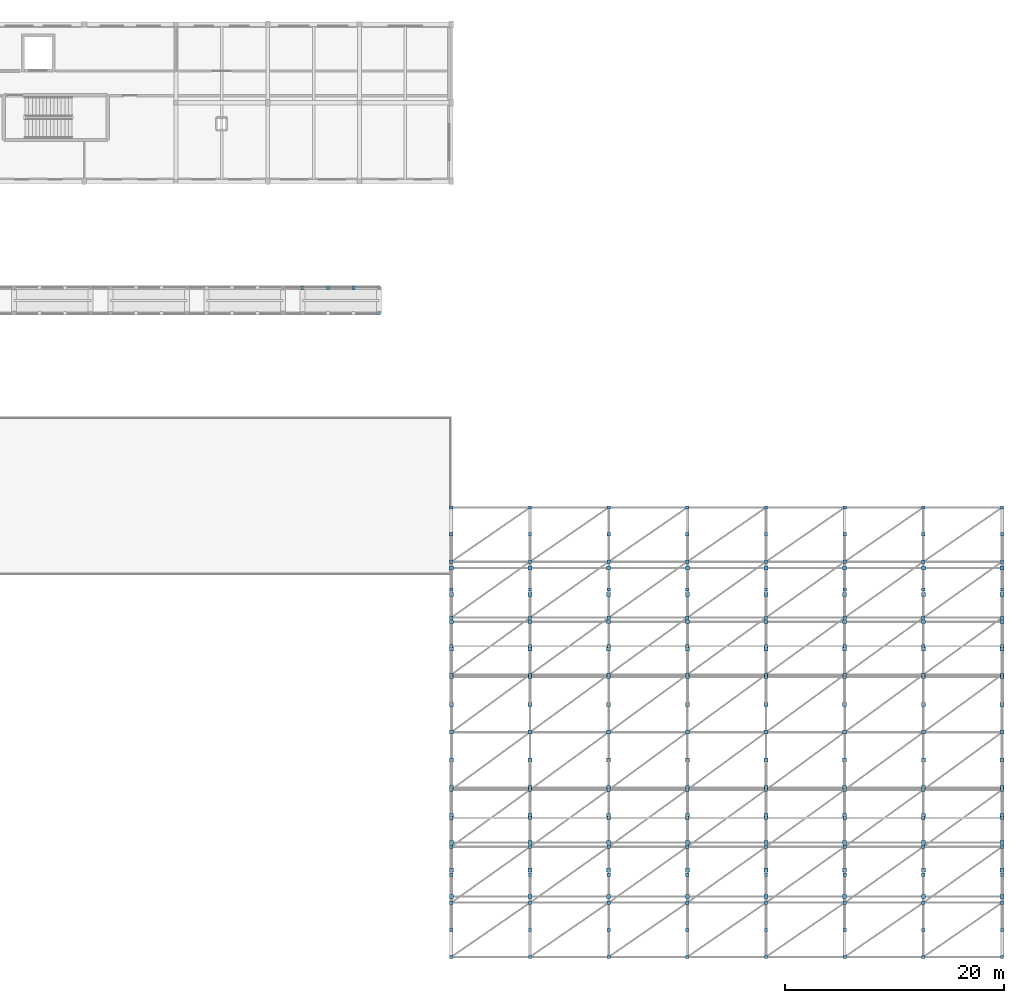
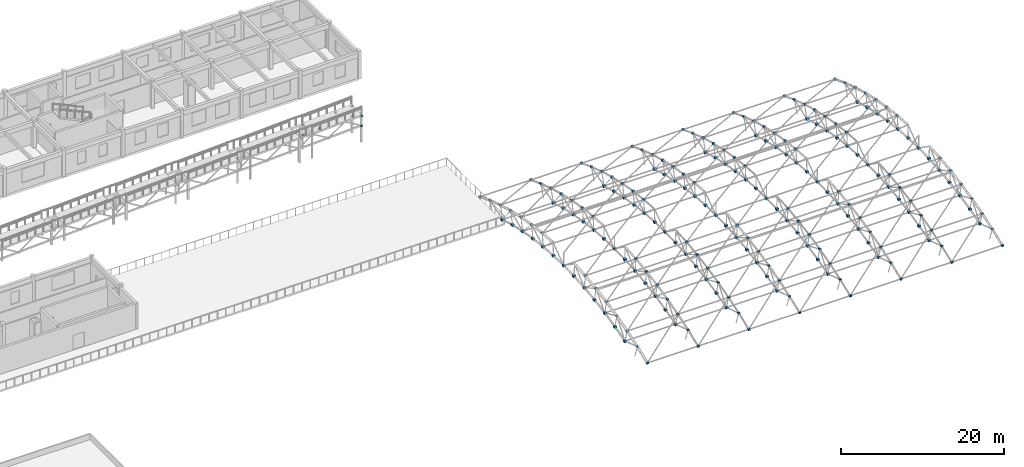
# One storey, part 26 of 41: 224 plates.
"""IFC4 building model written with IfcOpenShell, lengths in metres."""

from ifc_helpers import new_model, si_unit, direction, frame, origin, origin_2d, place, context, subcontext, project, spatial, rectangle, extrude, material, layer, layer_set, type_object, element, save


model = new_model("IFC4")

# Units and contexts
model_context = context("Model", 3, precision=1e-05, world=origin(), true_north=direction((0.0, 1.0)))
body_context = subcontext(model_context, "Body", "Model", "MODEL_VIEW")
ifc_project = project(units=[si_unit("LENGTHUNIT", "METRE"), si_unit("AREAUNIT", "SQUARE_METRE"), si_unit("VOLUMEUNIT", "CUBIC_METRE"), si_unit("PLANEANGLEUNIT", "RADIAN"), si_unit("MASSUNIT", "GRAM", prefix="KILO")], contexts=[model_context])

# Site, building, storey
site_placement = place(None, origin())
site = spatial("IfcSite", under=ifc_project, at=site_placement, CompositionType="ELEMENT")
building_placement = place(site_placement, origin())
building = spatial("IfcBuilding", under=site, at=building_placement, Name="Malvenik Polytechnic", CompositionType="ELEMENT")
storey_placement = place(building_placement, frame((0.0, 0.0, 17.699951171875)))
storey = spatial("IfcBuildingStorey", under=building, at=storey_placement, Name="L04", CompositionType="ELEMENT", Elevation=17.699951171875)

# Plates
ifc_material = material(Name="Steel S355J2H", Category="steel")
ifc_layer_1 = layer(ifc_material, 0.034912109375)
ifc_layer_set_1 = layer_set([ifc_layer_1], Name="Steel S355J2H")
plate_type_1 = type_object("IfcPlateType", Name="STR-PLT-NP-01", PredefinedType="USERDEFINED", material=ifc_layer_set_1)
for number, where, z_axis, x_axis, name in (
    (1, (134.39990234375, 49.7568359375, 0.04052734375), (0.0, 0.0, 1.0), (1.0, 0.0, 0.0), "Space-Frame Bottom Node Plate #13"),
    (2, (134.39990234375, 52.20849609375, 0.71630859375), (0.0, 0.0, 1.0), (1.0, 0.0, 0.0), "Space-Frame Bottom Node Plate #15"),
    (3, (134.39990234375, 54.6904296875, 1.271484375), (0.0, 0.0, 1.0), (1.0, 0.0, 0.0), "Space-Frame Bottom Node Plate #17"),
    (4, (134.39990234375, 57.19677734375, 1.705078125), (0.0, 0.0, 1.0), (1.0, 0.0, 0.0), "Space-Frame Bottom Node Plate #19"),
    (5, (134.39990234375, 59.720947265625, 2.01513671875), (0.0, 0.0, 1.0), (1.0, 0.0, 0.0), "Space-Frame Bottom Node Plate #21"),
    (6, (134.39990234375, 62.25732421875, 2.20166015625), (0.0, 0.0, 1.0), (1.0, 0.0, 0.0), "Space-Frame Bottom Node Plate #23"),
    (7, (134.39990234375, 64.800048828125, 2.263671875), (0.0, 0.0, 1.0), (1.0, 0.0, 0.0), "Space-Frame Bottom Node Plate #25"),
    (8, (134.39990234375, 67.342529296875, 2.20166015625), (0.0, 0.0, 1.0), (1.0, 0.0, 0.0), "Space-Frame Bottom Node Plate #27"),
    (9, (134.39990234375, 69.87890625, 2.01513671875), (0.0, 0.0, 1.0), (1.0, 0.0, 0.0), "Space-Frame Bottom Node Plate #29"),
    (10, (134.39990234375, 72.4033203125, 1.705078125), (0.0, 0.0, 1.0), (1.0, 0.0, 0.0), "Space-Frame Bottom Node Plate #31"),
    (11, (134.39990234375, 74.909423828125, 1.271484375), (0.0, 0.0, 1.0), (1.0, 0.0, 0.0), "Space-Frame Bottom Node Plate #33"),
    (12, (134.39990234375, 77.391357421875, 0.71630859375), (0.0, 0.0, 1.0), (1.0, 0.0, 0.0), "Space-Frame Bottom Node Plate #35"),
    (13, (134.39990234375, 79.84326171875, 0.04052734375), (0.0, 0.0, 1.0), (1.0, 0.0, 0.0), "Space-Frame Bottom Node Plate #37"),
    (14, (141.60009765625, 49.7568359375, 0.04052734375), (0.0, 0.0, 1.0), (1.0, 0.0, 0.0), "Space-Frame Bottom Node Plate #63"),
    (15, (141.60009765625, 52.20849609375, 0.71630859375), (0.0, 0.0, 1.0), (1.0, 0.0, 0.0), "Space-Frame Bottom Node Plate #65"),
    (16, (141.60009765625, 54.6904296875, 1.271484375), (0.0, 0.0, 1.0), (1.0, 0.0, 0.0), "Space-Frame Bottom Node Plate #67"),
    (17, (141.60009765625, 57.19677734375, 1.705078125), (0.0, 0.0, 1.0), (1.0, 0.0, 0.0), "Space-Frame Bottom Node Plate #69"),
    (18, (141.60009765625, 59.720947265625, 2.01513671875), (0.0, 0.0, 1.0), (1.0, 0.0, 0.0), "Space-Frame Bottom Node Plate #71"),
    (19, (141.60009765625, 62.25732421875, 2.20166015625), (0.0, 0.0, 1.0), (1.0, 0.0, 0.0), "Space-Frame Bottom Node Plate #73"),
    (20, (141.60009765625, 64.800048828125, 2.263671875), (0.0, 0.0, 1.0), (1.0, 0.0, 0.0), "Space-Frame Bottom Node Plate #75"),
    (21, (141.60009765625, 67.342529296875, 2.20166015625), (0.0, 0.0, 1.0), (1.0, 0.0, 0.0), "Space-Frame Bottom Node Plate #77"),
    (22, (141.60009765625, 69.87890625, 2.01513671875), (0.0, 0.0, 1.0), (1.0, 0.0, 0.0), "Space-Frame Bottom Node Plate #79"),
    (23, (141.60009765625, 72.4033203125, 1.705078125), (0.0, 0.0, 1.0), (1.0, 0.0, 0.0), "Space-Frame Bottom Node Plate #81"),
    (24, (141.60009765625, 74.909423828125, 1.271484375), (0.0, 0.0, 1.0), (1.0, 0.0, 0.0), "Space-Frame Bottom Node Plate #83"),
    (25, (141.60009765625, 77.391357421875, 0.71630859375), (0.0, 0.0, 1.0), (1.0, 0.0, 0.0), "Space-Frame Bottom Node Plate #85"),
    (26, (141.60009765625, 79.84326171875, 0.04052734375), (0.0, 0.0, 1.0), (1.0, 0.0, 0.0), "Space-Frame Bottom Node Plate #87"),
    (27, (148.800048828125, 49.7568359375, 0.04052734375), (0.0, 0.0, 1.0), (1.0, 0.0, 0.0), "Space-Frame Bottom Node Plate #113"),
    (28, (148.800048828125, 52.20849609375, 0.71630859375), (0.0, 0.0, 1.0), (1.0, 0.0, 0.0), "Space-Frame Bottom Node Plate #115"),
    (29, (148.800048828125, 54.6904296875, 1.271484375), (0.0, 0.0, 1.0), (1.0, 0.0, 0.0), "Space-Frame Bottom Node Plate #117"),
    (30, (148.800048828125, 57.19677734375, 1.705078125), (0.0, 0.0, 1.0), (1.0, 0.0, 0.0), "Space-Frame Bottom Node Plate #119"),
    (31, (148.800048828125, 59.720947265625, 2.01513671875), (0.0, 0.0, 1.0), (1.0, 0.0, 0.0), "Space-Frame Bottom Node Plate #121"),
    (32, (148.800048828125, 62.25732421875, 2.20166015625), (0.0, 0.0, 1.0), (1.0, 0.0, 0.0), "Space-Frame Bottom Node Plate #123"),
    (33, (148.800048828125, 64.800048828125, 2.263671875), (0.0, 0.0, 1.0), (1.0, 0.0, 0.0), "Space-Frame Bottom Node Plate #125"),
    (34, (148.800048828125, 67.342529296875, 2.20166015625), (0.0, 0.0, 1.0), (1.0, 0.0, 0.0), "Space-Frame Bottom Node Plate #127"),
    (35, (148.800048828125, 69.87890625, 2.01513671875), (0.0, 0.0, 1.0), (1.0, 0.0, 0.0), "Space-Frame Bottom Node Plate #129"),
    (36, (148.800048828125, 72.4033203125, 1.705078125), (0.0, 0.0, 1.0), (1.0, 0.0, 0.0), "Space-Frame Bottom Node Plate #131"),
    (37, (148.800048828125, 74.909423828125, 1.271484375), (0.0, 0.0, 1.0), (1.0, 0.0, 0.0), "Space-Frame Bottom Node Plate #133"),
    (38, (148.800048828125, 77.391357421875, 0.71630859375), (0.0, 0.0, 1.0), (1.0, 0.0, 0.0), "Space-Frame Bottom Node Plate #135"),
    (39, (148.800048828125, 79.84326171875, 0.04052734375), (0.0, 0.0, 1.0), (1.0, 0.0, 0.0), "Space-Frame Bottom Node Plate #137"),
    (40, (156.0, 49.7568359375, 0.04052734375), (0.0, 0.0, 1.0), (1.0, 0.0, 0.0), "Space-Frame Bottom Node Plate #163"),
    (41, (156.0, 52.20849609375, 0.71630859375), (0.0, 0.0, 1.0), (1.0, 0.0, 0.0), "Space-Frame Bottom Node Plate #165"),
    (42, (156.0, 54.6904296875, 1.271484375), (0.0, 0.0, 1.0), (1.0, 0.0, 0.0), "Space-Frame Bottom Node Plate #167"),
    (43, (156.0, 57.19677734375, 1.705078125), (0.0, 0.0, 1.0), (1.0, 0.0, 0.0), "Space-Frame Bottom Node Plate #169"),
    (44, (156.0, 59.720947265625, 2.01513671875), (0.0, 0.0, 1.0), (1.0, 0.0, 0.0), "Space-Frame Bottom Node Plate #171"),
    (45, (156.0, 62.25732421875, 2.20166015625), (0.0, 0.0, 1.0), (1.0, 0.0, 0.0), "Space-Frame Bottom Node Plate #173"),
    (46, (156.0, 64.800048828125, 2.263671875), (0.0, 0.0, 1.0), (1.0, 0.0, 0.0), "Space-Frame Bottom Node Plate #175"),
    (47, (156.0, 67.342529296875, 2.20166015625), (0.0, 0.0, 1.0), (1.0, 0.0, 0.0), "Space-Frame Bottom Node Plate #177"),
    (48, (156.0, 69.87890625, 2.01513671875), (0.0, 0.0, 1.0), (1.0, 0.0, 0.0), "Space-Frame Bottom Node Plate #179"),
    (49, (156.0, 72.4033203125, 1.705078125), (0.0, 0.0, 1.0), (1.0, 0.0, 0.0), "Space-Frame Bottom Node Plate #181"),
    (50, (156.0, 74.909423828125, 1.271484375), (0.0, 0.0, 1.0), (1.0, 0.0, 0.0), "Space-Frame Bottom Node Plate #183"),
    (51, (156.0, 77.391357421875, 0.71630859375), (0.0, 0.0, 1.0), (1.0, 0.0, 0.0), "Space-Frame Bottom Node Plate #185"),
    (52, (156.0, 79.84326171875, 0.04052734375), (0.0, 0.0, 1.0), (1.0, 0.0, 0.0), "Space-Frame Bottom Node Plate #187"),
    (53, (163.199951171875, 49.7568359375, 0.04052734375), (0.0, 0.0, 1.0), (1.0, 0.0, 0.0), "Space-Frame Bottom Node Plate #213"),
    (54, (163.199951171875, 52.20849609375, 0.71630859375), (0.0, 0.0, 1.0), (1.0, 0.0, 0.0), "Space-Frame Bottom Node Plate #215"),
    (55, (163.199951171875, 54.6904296875, 1.271484375), (0.0, 0.0, 1.0), (1.0, 0.0, 0.0), "Space-Frame Bottom Node Plate #217"),
    (56, (163.199951171875, 57.19677734375, 1.705078125), (0.0, 0.0, 1.0), (1.0, 0.0, 0.0), "Space-Frame Bottom Node Plate #219"),
    (57, (163.199951171875, 59.720947265625, 2.01513671875), (0.0, 0.0, 1.0), (1.0, 0.0, 0.0), "Space-Frame Bottom Node Plate #221"),
    (58, (163.199951171875, 62.25732421875, 2.20166015625), (0.0, 0.0, 1.0), (1.0, 0.0, 0.0), "Space-Frame Bottom Node Plate #223"),
    (59, (163.199951171875, 64.800048828125, 2.263671875), (0.0, 0.0, 1.0), (1.0, 0.0, 0.0), "Space-Frame Bottom Node Plate #225"),
    (60, (163.199951171875, 67.342529296875, 2.20166015625), (0.0, 0.0, 1.0), (1.0, 0.0, 0.0), "Space-Frame Bottom Node Plate #227"),
    (61, (163.199951171875, 69.87890625, 2.01513671875), (0.0, 0.0, 1.0), (1.0, 0.0, 0.0), "Space-Frame Bottom Node Plate #229"),
    (62, (163.199951171875, 72.4033203125, 1.705078125), (0.0, 0.0, 1.0), (1.0, 0.0, 0.0), "Space-Frame Bottom Node Plate #231"),
    (63, (163.199951171875, 74.909423828125, 1.271484375), (0.0, 0.0, 1.0), (1.0, 0.0, 0.0), "Space-Frame Bottom Node Plate #233"),
    (64, (163.199951171875, 77.391357421875, 0.71630859375), (0.0, 0.0, 1.0), (1.0, 0.0, 0.0), "Space-Frame Bottom Node Plate #235"),
    (65, (163.199951171875, 79.84326171875, 0.04052734375), (0.0, 0.0, 1.0), (1.0, 0.0, 0.0), "Space-Frame Bottom Node Plate #237"),
    (66, (170.39990234375, 49.7568359375, 0.04052734375), (0.0, 0.0, 1.0), (1.0, 0.0, 0.0), "Space-Frame Bottom Node Plate #263"),
    (67, (170.39990234375, 52.20849609375, 0.71630859375), (0.0, 0.0, 1.0), (1.0, 0.0, 0.0), "Space-Frame Bottom Node Plate #265"),
    (68, (170.39990234375, 54.6904296875, 1.271484375), (0.0, 0.0, 1.0), (1.0, 0.0, 0.0), "Space-Frame Bottom Node Plate #267"),
    (69, (170.39990234375, 57.19677734375, 1.705078125), (0.0, 0.0, 1.0), (1.0, 0.0, 0.0), "Space-Frame Bottom Node Plate #269"),
    (70, (170.39990234375, 59.720947265625, 2.01513671875), (0.0, 0.0, 1.0), (1.0, 0.0, 0.0), "Space-Frame Bottom Node Plate #271"),
    (71, (170.39990234375, 62.25732421875, 2.20166015625), (0.0, 0.0, 1.0), (1.0, 0.0, 0.0), "Space-Frame Bottom Node Plate #273"),
    (72, (170.39990234375, 64.800048828125, 2.263671875), (0.0, 0.0, 1.0), (1.0, 0.0, 0.0), "Space-Frame Bottom Node Plate #275"),
    (73, (170.39990234375, 67.342529296875, 2.20166015625), (0.0, 0.0, 1.0), (1.0, 0.0, 0.0), "Space-Frame Bottom Node Plate #277"),
    (74, (170.39990234375, 69.87890625, 2.01513671875), (0.0, 0.0, 1.0), (1.0, 0.0, 0.0), "Space-Frame Bottom Node Plate #279"),
    (75, (170.39990234375, 72.4033203125, 1.705078125), (0.0, 0.0, 1.0), (1.0, 0.0, 0.0), "Space-Frame Bottom Node Plate #281"),
    (76, (170.39990234375, 74.909423828125, 1.271484375), (0.0, 0.0, 1.0), (1.0, 0.0, 0.0), "Space-Frame Bottom Node Plate #283"),
    (77, (170.39990234375, 77.391357421875, 0.71630859375), (0.0, 0.0, 1.0), (1.0, 0.0, 0.0), "Space-Frame Bottom Node Plate #285"),
    (78, (170.39990234375, 79.84326171875, 0.04052734375), (0.0, 0.0, 1.0), (1.0, 0.0, 0.0), "Space-Frame Bottom Node Plate #287"),
    (79, (177.60009765625, 49.7568359375, 0.04052734375), (0.0, 0.0, 1.0), (1.0, 0.0, 0.0), "Space-Frame Bottom Node Plate #313"),
    (80, (177.60009765625, 52.20849609375, 0.71630859375), (0.0, 0.0, 1.0), (1.0, 0.0, 0.0), "Space-Frame Bottom Node Plate #315"),
    (81, (177.60009765625, 54.6904296875, 1.271484375), (0.0, 0.0, 1.0), (1.0, 0.0, 0.0), "Space-Frame Bottom Node Plate #317"),
    (82, (177.60009765625, 57.19677734375, 1.705078125), (0.0, 0.0, 1.0), (1.0, 0.0, 0.0), "Space-Frame Bottom Node Plate #319"),
    (83, (177.60009765625, 59.720947265625, 2.01513671875), (0.0, 0.0, 1.0), (1.0, 0.0, 0.0), "Space-Frame Bottom Node Plate #321"),
    (84, (177.60009765625, 62.25732421875, 2.20166015625), (0.0, 0.0, 1.0), (1.0, 0.0, 0.0), "Space-Frame Bottom Node Plate #323"),
    (85, (177.60009765625, 64.800048828125, 2.263671875), (0.0, 0.0, 1.0), (1.0, 0.0, 0.0), "Space-Frame Bottom Node Plate #325"),
    (86, (177.60009765625, 67.342529296875, 2.20166015625), (0.0, 0.0, 1.0), (1.0, 0.0, 0.0), "Space-Frame Bottom Node Plate #327"),
    (87, (177.60009765625, 69.87890625, 2.01513671875), (0.0, 0.0, 1.0), (1.0, 0.0, 0.0), "Space-Frame Bottom Node Plate #329"),
    (88, (177.60009765625, 72.4033203125, 1.705078125), (0.0, 0.0, 1.0), (1.0, 0.0, 0.0), "Space-Frame Bottom Node Plate #331"),
    (89, (177.60009765625, 74.909423828125, 1.271484375), (0.0, 0.0, 1.0), (1.0, 0.0, 0.0), "Space-Frame Bottom Node Plate #333"),
    (90, (177.60009765625, 77.391357421875, 0.71630859375), (0.0, 0.0, 1.0), (1.0, 0.0, 0.0), "Space-Frame Bottom Node Plate #335"),
    (91, (177.60009765625, 79.84326171875, 0.04052734375), (0.0, 0.0, 1.0), (1.0, 0.0, 0.0), "Space-Frame Bottom Node Plate #337"),
    (92, (184.800048828125, 49.7568359375, 0.04052734375), (0.0, 0.0, 1.0), (1.0, 0.0, 0.0), "Space-Frame Bottom Node Plate #363"),
    (93, (184.800048828125, 52.20849609375, 0.71630859375), (0.0, 0.0, 1.0), (1.0, 0.0, 0.0), "Space-Frame Bottom Node Plate #365"),
    (94, (184.800048828125, 54.6904296875, 1.271484375), (0.0, 0.0, 1.0), (1.0, 0.0, 0.0), "Space-Frame Bottom Node Plate #367"),
    (95, (184.800048828125, 57.19677734375, 1.705078125), (0.0, 0.0, 1.0), (1.0, 0.0, 0.0), "Space-Frame Bottom Node Plate #369"),
    (96, (184.800048828125, 59.720947265625, 2.01513671875), (0.0, 0.0, 1.0), (1.0, 0.0, 0.0), "Space-Frame Bottom Node Plate #371"),
    (97, (184.800048828125, 62.25732421875, 2.20166015625), (0.0, 0.0, 1.0), (1.0, 0.0, 0.0), "Space-Frame Bottom Node Plate #373"),
    (98, (184.800048828125, 64.800048828125, 2.263671875), (0.0, 0.0, 1.0), (1.0, 0.0, 0.0), "Space-Frame Bottom Node Plate #375"),
    (99, (184.800048828125, 67.342529296875, 2.20166015625), (0.0, 0.0, 1.0), (1.0, 0.0, 0.0), "Space-Frame Bottom Node Plate #377"),
    (100, (184.800048828125, 69.87890625, 2.01513671875), (0.0, 0.0, 1.0), (1.0, 0.0, 0.0), "Space-Frame Bottom Node Plate #379"),
    (101, (184.800048828125, 72.4033203125, 1.705078125), (0.0, 0.0, 1.0), (1.0, 0.0, 0.0), "Space-Frame Bottom Node Plate #381"),
    (102, (184.800048828125, 74.909423828125, 1.271484375), (0.0, 0.0, 1.0), (1.0, 0.0, 0.0), "Space-Frame Bottom Node Plate #383"),
    (103, (184.800048828125, 77.391357421875, 0.71630859375), (0.0, 0.0, 1.0), (1.0, 0.0, 0.0), "Space-Frame Bottom Node Plate #385"),
    (104, (184.800048828125, 79.84326171875, 0.04052734375), (0.0, 0.0, 1.0), (1.0, 0.0, 0.0), "Space-Frame Bottom Node Plate #387"),
):
    element("IfcPlate", number, at=place(storey_placement, frame(where, z_axis=z_axis, x_axis=x_axis)), inside=storey, type_object=plate_type_1, Name=name, ObjectType="GUSSET PLATE", PredefinedType="USERDEFINED", context=body_context, shape_type="SweptSolid", body=[
        extrude(rectangle(XDim=0.360107421875, YDim=0.360107421875, at=origin_2d()), origin(), (0.0, 0.0, 1.0), 0.280029296875),
    ])
ifc_layer_2 = layer(ifc_material, 0.034912109375)
ifc_layer_set_2 = layer_set([ifc_layer_2], Name="Steel S355J2H")
plate_type_2 = type_object("IfcPlateType", Name="STR-PLT-NP-02", PredefinedType="USERDEFINED", material=ifc_layer_set_2)
for number, where, z_axis, x_axis, name in (
    (105, (134.39990234375, 44.232666015625, 0.13232421875), (0.0, 0.0, 1.0), (1.0, 0.0, 0.0), "Space-Frame Top Node Plate #10"),
    (106, (134.39990234375, 46.694580078125, 1.07861328125), (0.0, 0.0, 1.0), (1.0, 0.0, 0.0), "Space-Frame Top Node Plate #12"),
    (107, (134.39990234375, 49.199951171875, 1.90283203125), (0.0, 0.0, 1.0), (1.0, 0.0, 0.0), "Space-Frame Top Node Plate #14"),
    (108, (134.39990234375, 51.742431640625, 2.60400390625), (0.0, 0.0, 1.0), (1.0, 0.0, 0.0), "Space-Frame Top Node Plate #16"),
    (109, (134.39990234375, 54.31640625, 3.18017578125), (0.0, 0.0, 1.0), (1.0, 0.0, 0.0), "Space-Frame Top Node Plate #18"),
    (110, (134.39990234375, 56.915283203125, 3.62939453125), (0.0, 0.0, 1.0), (1.0, 0.0, 0.0), "Space-Frame Top Node Plate #20"),
    (111, (134.39990234375, 59.532958984375, 3.951171875), (0.0, 0.0, 1.0), (1.0, 0.0, 0.0), "Space-Frame Top Node Plate #22"),
    (112, (134.39990234375, 70.06689453125, 3.951171875), (0.0, 0.0, 1.0), (1.0, 0.0, 0.0), "Space-Frame Top Node Plate #30"),
    (113, (134.39990234375, 72.684814453125, 3.62939453125), (0.0, 0.0, 1.0), (1.0, 0.0, 0.0), "Space-Frame Top Node Plate #32"),
    (114, (134.39990234375, 75.28369140625, 3.18017578125), (0.0, 0.0, 1.0), (1.0, 0.0, 0.0), "Space-Frame Top Node Plate #34"),
    (115, (134.39990234375, 77.857421875, 2.60400390625), (0.0, 0.0, 1.0), (1.0, 0.0, 0.0), "Space-Frame Top Node Plate #36"),
    (116, (134.39990234375, 80.400146484375, 1.90283203125), (0.0, 0.0, 1.0), (1.0, 0.0, 0.0), "Space-Frame Top Node Plate #38"),
    (117, (134.39990234375, 82.905517578125, 1.07861328125), (0.0, 0.0, 1.0), (1.0, 0.0, 0.0), "Space-Frame Top Node Plate #40"),
    (118, (134.39990234375, 85.367431640625, 0.13232421875), (0.0, 0.0, 1.0), (1.0, 0.0, 0.0), "Space-Frame Top Node Plate #42"),
    (119, (141.60009765625, 44.232666015625, 0.13232421875), (0.0, 0.0, 1.0), (1.0, 0.0, 0.0), "Space-Frame Top Node Plate #60"),
    (120, (141.60009765625, 46.694580078125, 1.07861328125), (0.0, 0.0, 1.0), (1.0, 0.0, 0.0), "Space-Frame Top Node Plate #62"),
    (121, (141.60009765625, 49.199951171875, 1.90283203125), (0.0, 0.0, 1.0), (1.0, 0.0, 0.0), "Space-Frame Top Node Plate #64"),
    (122, (141.60009765625, 51.742431640625, 2.60400390625), (0.0, 0.0, 1.0), (1.0, 0.0, 0.0), "Space-Frame Top Node Plate #66"),
    (123, (141.60009765625, 54.31640625, 3.18017578125), (0.0, 0.0, 1.0), (1.0, 0.0, 0.0), "Space-Frame Top Node Plate #68"),
    (124, (141.60009765625, 56.915283203125, 3.62939453125), (0.0, 0.0, 1.0), (1.0, 0.0, 0.0), "Space-Frame Top Node Plate #70"),
    (125, (141.60009765625, 59.532958984375, 3.951171875), (0.0, 0.0, 1.0), (1.0, 0.0, 0.0), "Space-Frame Top Node Plate #72"),
    (126, (141.60009765625, 70.06689453125, 3.951171875), (0.0, 0.0, 1.0), (1.0, 0.0, 0.0), "Space-Frame Top Node Plate #80"),
    (127, (141.60009765625, 72.684814453125, 3.62939453125), (0.0, 0.0, 1.0), (1.0, 0.0, 0.0), "Space-Frame Top Node Plate #82"),
    (128, (141.60009765625, 75.28369140625, 3.18017578125), (0.0, 0.0, 1.0), (1.0, 0.0, 0.0), "Space-Frame Top Node Plate #84"),
    (129, (141.60009765625, 77.857421875, 2.60400390625), (0.0, 0.0, 1.0), (1.0, 0.0, 0.0), "Space-Frame Top Node Plate #86"),
    (130, (141.60009765625, 80.400146484375, 1.90283203125), (0.0, 0.0, 1.0), (1.0, 0.0, 0.0), "Space-Frame Top Node Plate #88"),
    (131, (141.60009765625, 82.905517578125, 1.07861328125), (0.0, 0.0, 1.0), (1.0, 0.0, 0.0), "Space-Frame Top Node Plate #90"),
    (132, (141.60009765625, 85.367431640625, 0.13232421875), (0.0, 0.0, 1.0), (1.0, 0.0, 0.0), "Space-Frame Top Node Plate #92"),
    (133, (148.800048828125, 44.232666015625, 0.13232421875), (0.0, 0.0, 1.0), (1.0, 0.0, 0.0), "Space-Frame Top Node Plate #110"),
    (134, (148.800048828125, 46.694580078125, 1.07861328125), (0.0, 0.0, 1.0), (1.0, 0.0, 0.0), "Space-Frame Top Node Plate #112"),
    (135, (148.800048828125, 49.199951171875, 1.90283203125), (0.0, 0.0, 1.0), (1.0, 0.0, 0.0), "Space-Frame Top Node Plate #114"),
    (136, (148.800048828125, 51.742431640625, 2.60400390625), (0.0, 0.0, 1.0), (1.0, 0.0, 0.0), "Space-Frame Top Node Plate #116"),
    (137, (148.800048828125, 54.31640625, 3.18017578125), (0.0, 0.0, 1.0), (1.0, 0.0, 0.0), "Space-Frame Top Node Plate #118"),
    (138, (148.800048828125, 56.915283203125, 3.62939453125), (0.0, 0.0, 1.0), (1.0, 0.0, 0.0), "Space-Frame Top Node Plate #120"),
    (139, (148.800048828125, 59.532958984375, 3.951171875), (0.0, 0.0, 1.0), (1.0, 0.0, 0.0), "Space-Frame Top Node Plate #122"),
    (140, (148.800048828125, 70.06689453125, 3.951171875), (0.0, 0.0, 1.0), (1.0, 0.0, 0.0), "Space-Frame Top Node Plate #130"),
    (141, (148.800048828125, 72.684814453125, 3.62939453125), (0.0, 0.0, 1.0), (1.0, 0.0, 0.0), "Space-Frame Top Node Plate #132"),
    (142, (148.800048828125, 75.28369140625, 3.18017578125), (0.0, 0.0, 1.0), (1.0, 0.0, 0.0), "Space-Frame Top Node Plate #134"),
    (143, (148.800048828125, 77.857421875, 2.60400390625), (0.0, 0.0, 1.0), (1.0, 0.0, 0.0), "Space-Frame Top Node Plate #136"),
    (144, (148.800048828125, 80.400146484375, 1.90283203125), (0.0, 0.0, 1.0), (1.0, 0.0, 0.0), "Space-Frame Top Node Plate #138"),
    (145, (148.800048828125, 82.905517578125, 1.07861328125), (0.0, 0.0, 1.0), (1.0, 0.0, 0.0), "Space-Frame Top Node Plate #140"),
    (146, (148.800048828125, 85.367431640625, 0.13232421875), (0.0, 0.0, 1.0), (1.0, 0.0, 0.0), "Space-Frame Top Node Plate #142"),
    (147, (156.0, 44.232666015625, 0.13232421875), (0.0, 0.0, 1.0), (1.0, 0.0, 0.0), "Space-Frame Top Node Plate #160"),
    (148, (156.0, 46.694580078125, 1.07861328125), (0.0, 0.0, 1.0), (1.0, 0.0, 0.0), "Space-Frame Top Node Plate #162"),
    (149, (156.0, 49.199951171875, 1.90283203125), (0.0, 0.0, 1.0), (1.0, 0.0, 0.0), "Space-Frame Top Node Plate #164"),
    (150, (156.0, 51.742431640625, 2.60400390625), (0.0, 0.0, 1.0), (1.0, 0.0, 0.0), "Space-Frame Top Node Plate #166"),
    (151, (156.0, 54.31640625, 3.18017578125), (0.0, 0.0, 1.0), (1.0, 0.0, 0.0), "Space-Frame Top Node Plate #168"),
    (152, (156.0, 56.915283203125, 3.62939453125), (0.0, 0.0, 1.0), (1.0, 0.0, 0.0), "Space-Frame Top Node Plate #170"),
    (153, (156.0, 59.532958984375, 3.951171875), (0.0, 0.0, 1.0), (1.0, 0.0, 0.0), "Space-Frame Top Node Plate #172"),
    (154, (156.0, 70.06689453125, 3.951171875), (0.0, 0.0, 1.0), (1.0, 0.0, 0.0), "Space-Frame Top Node Plate #180"),
    (155, (156.0, 72.684814453125, 3.62939453125), (0.0, 0.0, 1.0), (1.0, 0.0, 0.0), "Space-Frame Top Node Plate #182"),
    (156, (156.0, 75.28369140625, 3.18017578125), (0.0, 0.0, 1.0), (1.0, 0.0, 0.0), "Space-Frame Top Node Plate #184"),
    (157, (156.0, 77.857421875, 2.60400390625), (0.0, 0.0, 1.0), (1.0, 0.0, 0.0), "Space-Frame Top Node Plate #186"),
    (158, (156.0, 80.400146484375, 1.90283203125), (0.0, 0.0, 1.0), (1.0, 0.0, 0.0), "Space-Frame Top Node Plate #188"),
    (159, (156.0, 82.905517578125, 1.07861328125), (0.0, 0.0, 1.0), (1.0, 0.0, 0.0), "Space-Frame Top Node Plate #190"),
    (160, (156.0, 85.367431640625, 0.13232421875), (0.0, 0.0, 1.0), (1.0, 0.0, 0.0), "Space-Frame Top Node Plate #192"),
    (161, (163.199951171875, 44.232666015625, 0.13232421875), (0.0, 0.0, 1.0), (1.0, 0.0, 0.0), "Space-Frame Top Node Plate #210"),
    (162, (163.199951171875, 46.694580078125, 1.07861328125), (0.0, 0.0, 1.0), (1.0, 0.0, 0.0), "Space-Frame Top Node Plate #212"),
    (163, (163.199951171875, 49.199951171875, 1.90283203125), (0.0, 0.0, 1.0), (1.0, 0.0, 0.0), "Space-Frame Top Node Plate #214"),
    (164, (163.199951171875, 51.742431640625, 2.60400390625), (0.0, 0.0, 1.0), (1.0, 0.0, 0.0), "Space-Frame Top Node Plate #216"),
    (165, (163.199951171875, 54.31640625, 3.18017578125), (0.0, 0.0, 1.0), (1.0, 0.0, 0.0), "Space-Frame Top Node Plate #218"),
    (166, (163.199951171875, 56.915283203125, 3.62939453125), (0.0, 0.0, 1.0), (1.0, 0.0, 0.0), "Space-Frame Top Node Plate #220"),
    (167, (163.199951171875, 59.532958984375, 3.951171875), (0.0, 0.0, 1.0), (1.0, 0.0, 0.0), "Space-Frame Top Node Plate #222"),
    (168, (163.199951171875, 70.06689453125, 3.951171875), (0.0, 0.0, 1.0), (1.0, 0.0, 0.0), "Space-Frame Top Node Plate #230"),
    (169, (163.199951171875, 72.684814453125, 3.62939453125), (0.0, 0.0, 1.0), (1.0, 0.0, 0.0), "Space-Frame Top Node Plate #232"),
    (170, (163.199951171875, 75.28369140625, 3.18017578125), (0.0, 0.0, 1.0), (1.0, 0.0, 0.0), "Space-Frame Top Node Plate #234"),
    (171, (163.199951171875, 77.857421875, 2.60400390625), (0.0, 0.0, 1.0), (1.0, 0.0, 0.0), "Space-Frame Top Node Plate #236"),
    (172, (163.199951171875, 80.400146484375, 1.90283203125), (0.0, 0.0, 1.0), (1.0, 0.0, 0.0), "Space-Frame Top Node Plate #238"),
    (173, (163.199951171875, 82.905517578125, 1.07861328125), (0.0, 0.0, 1.0), (1.0, 0.0, 0.0), "Space-Frame Top Node Plate #240"),
    (174, (163.199951171875, 85.367431640625, 0.13232421875), (0.0, 0.0, 1.0), (1.0, 0.0, 0.0), "Space-Frame Top Node Plate #242"),
    (175, (170.39990234375, 44.232666015625, 0.13232421875), (0.0, 0.0, 1.0), (1.0, 0.0, 0.0), "Space-Frame Top Node Plate #260"),
    (176, (170.39990234375, 46.694580078125, 1.07861328125), (0.0, 0.0, 1.0), (1.0, 0.0, 0.0), "Space-Frame Top Node Plate #262"),
    (177, (170.39990234375, 49.199951171875, 1.90283203125), (0.0, 0.0, 1.0), (1.0, 0.0, 0.0), "Space-Frame Top Node Plate #264"),
    (178, (170.39990234375, 51.742431640625, 2.60400390625), (0.0, 0.0, 1.0), (1.0, 0.0, 0.0), "Space-Frame Top Node Plate #266"),
    (179, (170.39990234375, 54.31640625, 3.18017578125), (0.0, 0.0, 1.0), (1.0, 0.0, 0.0), "Space-Frame Top Node Plate #268"),
    (180, (170.39990234375, 56.915283203125, 3.62939453125), (0.0, 0.0, 1.0), (1.0, 0.0, 0.0), "Space-Frame Top Node Plate #270"),
    (181, (170.39990234375, 59.532958984375, 3.951171875), (0.0, 0.0, 1.0), (1.0, 0.0, 0.0), "Space-Frame Top Node Plate #272"),
    (182, (170.39990234375, 70.06689453125, 3.951171875), (0.0, 0.0, 1.0), (1.0, 0.0, 0.0), "Space-Frame Top Node Plate #280"),
    (183, (170.39990234375, 72.684814453125, 3.62939453125), (0.0, 0.0, 1.0), (1.0, 0.0, 0.0), "Space-Frame Top Node Plate #282"),
    (184, (170.39990234375, 75.28369140625, 3.18017578125), (0.0, 0.0, 1.0), (1.0, 0.0, 0.0), "Space-Frame Top Node Plate #284"),
    (185, (170.39990234375, 77.857421875, 2.60400390625), (0.0, 0.0, 1.0), (1.0, 0.0, 0.0), "Space-Frame Top Node Plate #286"),
    (186, (170.39990234375, 80.400146484375, 1.90283203125), (0.0, 0.0, 1.0), (1.0, 0.0, 0.0), "Space-Frame Top Node Plate #288"),
    (187, (170.39990234375, 82.905517578125, 1.07861328125), (0.0, 0.0, 1.0), (1.0, 0.0, 0.0), "Space-Frame Top Node Plate #290"),
    (188, (170.39990234375, 85.367431640625, 0.13232421875), (0.0, 0.0, 1.0), (1.0, 0.0, 0.0), "Space-Frame Top Node Plate #292"),
    (189, (177.60009765625, 44.232666015625, 0.13232421875), (0.0, 0.0, 1.0), (1.0, 0.0, 0.0), "Space-Frame Top Node Plate #310"),
    (190, (177.60009765625, 46.694580078125, 1.07861328125), (0.0, 0.0, 1.0), (1.0, 0.0, 0.0), "Space-Frame Top Node Plate #312"),
    (191, (177.60009765625, 49.199951171875, 1.90283203125), (0.0, 0.0, 1.0), (1.0, 0.0, 0.0), "Space-Frame Top Node Plate #314"),
    (192, (177.60009765625, 51.742431640625, 2.60400390625), (0.0, 0.0, 1.0), (1.0, 0.0, 0.0), "Space-Frame Top Node Plate #316"),
    (193, (177.60009765625, 54.31640625, 3.18017578125), (0.0, 0.0, 1.0), (1.0, 0.0, 0.0), "Space-Frame Top Node Plate #318"),
    (194, (177.60009765625, 56.915283203125, 3.62939453125), (0.0, 0.0, 1.0), (1.0, 0.0, 0.0), "Space-Frame Top Node Plate #320"),
    (195, (177.60009765625, 59.532958984375, 3.951171875), (0.0, 0.0, 1.0), (1.0, 0.0, 0.0), "Space-Frame Top Node Plate #322"),
    (196, (177.60009765625, 70.06689453125, 3.951171875), (0.0, 0.0, 1.0), (1.0, 0.0, 0.0), "Space-Frame Top Node Plate #330"),
    (197, (177.60009765625, 72.684814453125, 3.62939453125), (0.0, 0.0, 1.0), (1.0, 0.0, 0.0), "Space-Frame Top Node Plate #332"),
    (198, (177.60009765625, 75.28369140625, 3.18017578125), (0.0, 0.0, 1.0), (1.0, 0.0, 0.0), "Space-Frame Top Node Plate #334"),
    (199, (177.60009765625, 77.857421875, 2.60400390625), (0.0, 0.0, 1.0), (1.0, 0.0, 0.0), "Space-Frame Top Node Plate #336"),
    (200, (177.60009765625, 80.400146484375, 1.90283203125), (0.0, 0.0, 1.0), (1.0, 0.0, 0.0), "Space-Frame Top Node Plate #338"),
    (201, (177.60009765625, 82.905517578125, 1.07861328125), (0.0, 0.0, 1.0), (1.0, 0.0, 0.0), "Space-Frame Top Node Plate #340"),
    (202, (177.60009765625, 85.367431640625, 0.13232421875), (0.0, 0.0, 1.0), (1.0, 0.0, 0.0), "Space-Frame Top Node Plate #342"),
    (203, (184.800048828125, 44.232666015625, 0.13232421875), (0.0, 0.0, 1.0), (1.0, 0.0, 0.0), "Space-Frame Top Node Plate #360"),
    (204, (184.800048828125, 46.694580078125, 1.07861328125), (0.0, 0.0, 1.0), (1.0, 0.0, 0.0), "Space-Frame Top Node Plate #362"),
    (205, (184.800048828125, 49.199951171875, 1.90283203125), (0.0, 0.0, 1.0), (1.0, 0.0, 0.0), "Space-Frame Top Node Plate #364"),
    (206, (184.800048828125, 51.742431640625, 2.60400390625), (0.0, 0.0, 1.0), (1.0, 0.0, 0.0), "Space-Frame Top Node Plate #366"),
    (207, (184.800048828125, 54.31640625, 3.18017578125), (0.0, 0.0, 1.0), (1.0, 0.0, 0.0), "Space-Frame Top Node Plate #368"),
    (208, (184.800048828125, 56.915283203125, 3.62939453125), (0.0, 0.0, 1.0), (1.0, 0.0, 0.0), "Space-Frame Top Node Plate #370"),
    (209, (184.800048828125, 59.532958984375, 3.951171875), (0.0, 0.0, 1.0), (1.0, 0.0, 0.0), "Space-Frame Top Node Plate #372"),
    (210, (184.800048828125, 70.06689453125, 3.951171875), (0.0, 0.0, 1.0), (1.0, 0.0, 0.0), "Space-Frame Top Node Plate #380"),
    (211, (184.800048828125, 72.684814453125, 3.62939453125), (0.0, 0.0, 1.0), (1.0, 0.0, 0.0), "Space-Frame Top Node Plate #382"),
    (212, (184.800048828125, 75.28369140625, 3.18017578125), (0.0, 0.0, 1.0), (1.0, 0.0, 0.0), "Space-Frame Top Node Plate #384"),
    (213, (184.800048828125, 77.857421875, 2.60400390625), (0.0, 0.0, 1.0), (1.0, 0.0, 0.0), "Space-Frame Top Node Plate #386"),
    (214, (184.800048828125, 80.400146484375, 1.90283203125), (0.0, 0.0, 1.0), (1.0, 0.0, 0.0), "Space-Frame Top Node Plate #388"),
    (215, (184.800048828125, 82.905517578125, 1.07861328125), (0.0, 0.0, 1.0), (1.0, 0.0, 0.0), "Space-Frame Top Node Plate #390"),
    (216, (184.800048828125, 85.367431640625, 0.13232421875), (0.0, 0.0, 1.0), (1.0, 0.0, 0.0), "Space-Frame Top Node Plate #392"),
):
    element("IfcPlate", number, at=place(storey_placement, frame(where, z_axis=z_axis, x_axis=x_axis)), inside=storey, type_object=plate_type_2, Name=name, ObjectType="GUSSET PLATE", PredefinedType="USERDEFINED", context=body_context, shape_type="SweptSolid", body=[
        extrude(rectangle(XDim=0.300048828125, YDim=0.300048828125, at=origin_2d()), origin(), (0.0, 0.0, 1.0), 0.239990234375),
    ])
ifc_layer_3 = layer(ifc_material, 0.034912109375)
ifc_layer_set_3 = layer_set([ifc_layer_3], Name="Steel S355J2H")
plate_type_3 = type_object("IfcPlateType", Name="STR-PLT-NP-03", PredefinedType="USERDEFINED", material=ifc_layer_set_3)
for number, where, z_axis, x_axis, name in (
    (217, (127.800048828125, 103.14990234375, 3.8701171875), (0.0, 0.0, 1.0), (1.0, 0.0, 0.0), "Warren Joint Node Plate RB-03"),
    (218, (127.800048828125, 103.14990234375, 2.3701171875), (0.0, 0.0, 1.0), (1.0, 0.0, 0.0), "Warren Joint Node Plate RB-03"),
    (219, (120.800048828125, 105.449951171875, 3.52001953125), (0.0, 0.0, 1.0), (1.0, 0.0, 0.0), "Warren Joint Node Plate RB-03"),
    (220, (120.800048828125, 105.449951171875, 2.02001953125), (0.0, 0.0, 1.0), (1.0, 0.0, 0.0), "Warren Joint Node Plate RB-03"),
    (221, (127.800048828125, 105.449951171875, 3.8701171875), (0.0, 0.0, 1.0), (1.0, 0.0, 0.0), "Warren Joint Node Plate RB-03"),
    (222, (127.800048828125, 105.449951171875, 2.3701171875), (0.0, 0.0, 1.0), (1.0, 0.0, 0.0), "Warren Joint Node Plate RB-03"),
    (223, (123.13330078125, 105.449951171875, 2.13671875), (0.0, 0.0, 1.0), (1.0, 0.0, 0.0), "Warren Web Node Plate RB-03"),
    (224, (125.466796875, 105.449951171875, 3.75341796875), (0.0, 0.0, 1.0), (1.0, 0.0, 0.0), "Warren Web Node Plate RB-03"),
):
    element("IfcPlate", number, at=place(storey_placement, frame(where, z_axis=z_axis, x_axis=x_axis)), inside=storey, type_object=plate_type_3, Name=name, ObjectType="GUSSET PLATE", PredefinedType="USERDEFINED", context=body_context, shape_type="SweptSolid", body=[
        extrude(rectangle(XDim=0.280029296875, YDim=0.280029296875, at=origin_2d()), origin(), (0.0, 0.0, 1.0), 0.219970703125),
    ])

save(model, "model.ifc")
